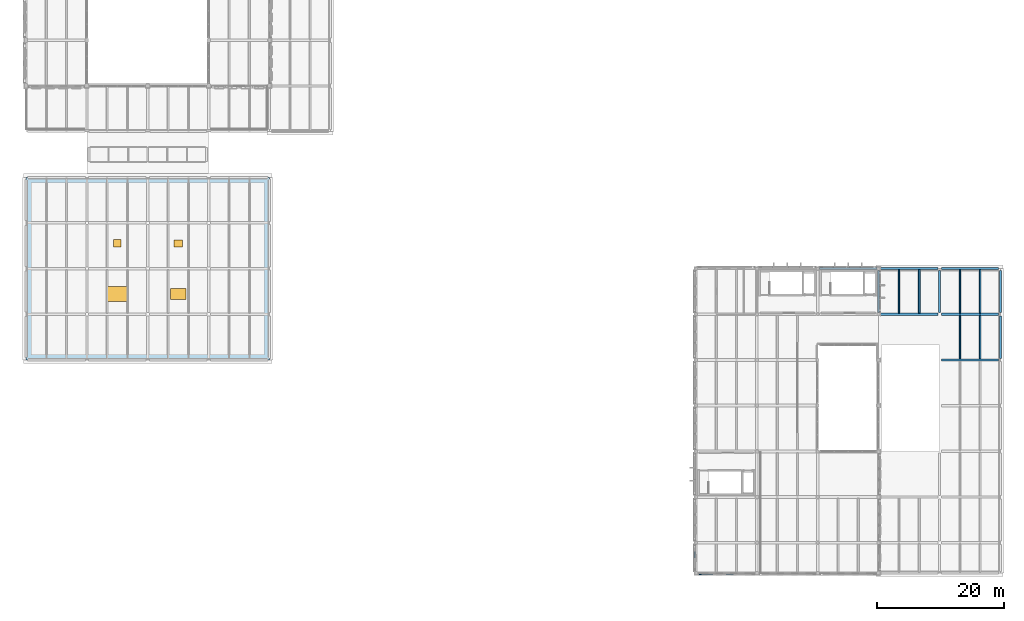
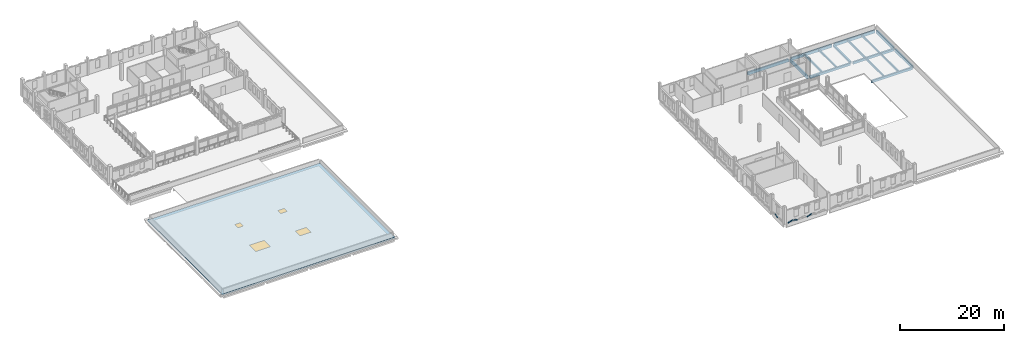
# One storey, part 26 of 50: 16 beams, 4 plates, 2 doors, 2 windows, 1 slab, 4 openings.
"""IFC4 building model written with IfcOpenShell, lengths in metres."""

from ifc_helpers import new_model, si_unit, direction, frame, origin, origin_2d, place, context, subcontext, project, spatial, polyline, rectangle, hollow_rectangle, outline, extrude, material, layer, layer_set, material_profile, profile_set, type_object, element, fill, save


model = new_model("IFC4")

# Units and contexts
model_context = context("Model", 3, precision=1e-05, world=origin(), true_north=direction((0.0, 1.0)))
body_context = subcontext(model_context, "Body", "Model", "MODEL_VIEW")
ifc_project = project(units=[si_unit("LENGTHUNIT", "METRE"), si_unit("AREAUNIT", "SQUARE_METRE"), si_unit("VOLUMEUNIT", "CUBIC_METRE"), si_unit("PLANEANGLEUNIT", "RADIAN"), si_unit("MASSUNIT", "GRAM", prefix="KILO")], contexts=[model_context])

# Site, building, storey
site_placement = place(None, origin())
site = spatial("IfcSite", under=ifc_project, at=site_placement, CompositionType="ELEMENT")
building_placement = place(site_placement, origin())
building = spatial("IfcBuilding", under=site, at=building_placement, Name="Asteropetra Specialist Clinic", CompositionType="ELEMENT")
storey_placement = place(building_placement, frame((0.0, 0.0, 16.659912109375)))
storey = spatial("IfcBuildingStorey", under=building, at=storey_placement, Name="L04", CompositionType="ELEMENT", Elevation=16.659912109375)

# Beams
ifc_material_1 = material(Name="Concrete C35/45", Category="concrete")
ifc_material_profile_1 = material_profile(ifc_material_1, rectangle(XDim=0.320068359375, YDim=0.52001953125, at=origin_2d()), Name="RCB 320x520")
ifc_profile_set_1 = profile_set([ifc_material_profile_1], Name="Concrete C35/45")
beam_type_1 = type_object("IfcBeamType", Name="BM-RC320x520", PredefinedType="BEAM", material=ifc_profile_set_1)
beam_1_placement = place(storey_placement, frame((144.0, 41.074951171875, -0.510009765625), z_axis=(0.0, 1.0, 0.0), x_axis=(-1.0, 0.0, 0.0)))
element("IfcBeam", 1, at=beam_1_placement, inside=storey, type_object=beam_type_1, Name="Beam BBM11-1966", PredefinedType="BEAM", context=body_context, shape_type="SweptSolid", body=[
    extrude(rectangle(XDim=0.320068359375, YDim=0.52001953125, at=origin_2d()), origin(), (0.0, 0.0, 1.0), 6.650146484375),
])
ifc_material_2 = material(Name="Concrete C35/45", Category="concrete")
ifc_material_profile_2 = material_profile(ifc_material_2, rectangle(XDim=0.35009765625, YDim=0.550048828125, at=origin_2d()), Name="RCB 350x550")
ifc_profile_set_2 = profile_set([ifc_material_profile_2], Name="Concrete C35/45")
beam_type_2 = type_object("IfcBeamType", Name="BM-RC350x550", PredefinedType="BEAM", material=ifc_profile_set_2)
for number, where, z_axis, x_axis, name in (
    (2, (144.27490234375, 33.60009765625, -0.52490234375), (1.0, 0.0, 0.0), (0.0, 1.0, 0.0), "Beam BBM10-1936"),
    (3, (134.675048828125, 40.800048828125, -0.52490234375), (1.0, 0.0, 0.0), (0.0, 1.0, 0.0), "Beam BBM10-1937"),
    (4, (144.27490234375, 40.800048828125, -0.52490234375), (1.0, 0.0, 0.0), (0.0, 1.0, 0.0), "Beam BBM10-1938"),
):
    element("IfcBeam", number, at=place(storey_placement, frame(where, z_axis=z_axis, x_axis=x_axis)), inside=storey, type_object=beam_type_2, Name=name, PredefinedType="BEAM", context=body_context, shape_type="SweptSolid", body=[
        extrude(rectangle(XDim=0.35009765625, YDim=0.550048828125, at=origin_2d()), origin(), (0.0, 0.0, 1.0), 9.050048828125),
    ])
ifc_material_3 = material(Name="Concrete C35/45", Category="concrete")
ifc_material_profile_3 = material_profile(ifc_material_3, rectangle(XDim=0.239990234375, YDim=0.449951171875, at=origin_2d()), Name="RCJ 240x450")
ifc_profile_set_3 = profile_set([ifc_material_profile_3], Name="Concrete C35/45")
beam_type_3 = type_object("IfcBeamType", Name="JST-RC240x450", PredefinedType="JOIST", material=ifc_profile_set_3)
for number, where, z_axis, x_axis, name in (
    (5, (147.199951171875, 33.77490234375, -0.474853515625), (0.0, 1.0, 0.0), (-1.0, 0.0, 0.0), "Joist JJST03-1964"),
    (6, (150.39990234375, 33.77490234375, -0.474853515625), (0.0, 1.0, 0.0), (-1.0, 0.0, 0.0), "Joist JJST03-1965"),
):
    element("IfcBeam", number, at=place(storey_placement, frame(where, z_axis=z_axis, x_axis=x_axis)), inside=storey, type_object=beam_type_3, Name=name, PredefinedType="JOIST", context=body_context, shape_type="SweptSolid", body=[
        extrude(rectangle(XDim=0.239990234375, YDim=0.449951171875, at=origin_2d()), origin(), (0.0, 0.0, 1.0), 6.85009765625),
    ])
for number, where, z_axis, x_axis, name in (
    (7, (137.60009765625, 40.97509765625, -0.474853515625), (0.0, 1.0, 0.0), (-1.0, 0.0, 0.0), "Joist JJST03-1968"),
    (8, (140.800048828125, 40.97509765625, -0.474853515625), (0.0, 1.0, 0.0), (-1.0, 0.0, 0.0), "Joist JJST03-1969"),
    (9, (147.199951171875, 40.97509765625, -0.474853515625), (0.0, 1.0, 0.0), (-1.0, 0.0, 0.0), "Joist JJST03-1970"),
    (10, (150.39990234375, 40.97509765625, -0.474853515625), (0.0, 1.0, 0.0), (-1.0, 0.0, 0.0), "Joist JJST03-1971"),
):
    element("IfcBeam", number, at=place(storey_placement, frame(where, z_axis=z_axis, x_axis=x_axis)), inside=storey, type_object=beam_type_3, Name=name, PredefinedType="JOIST", context=body_context, shape_type="SweptSolid", body=[
        extrude(rectangle(XDim=0.239990234375, YDim=0.449951171875, at=origin_2d()), origin(), (0.0, 0.0, 1.0), 6.864990234375),
    ])
ifc_material_4 = material(Name="Concrete C35/45", Category="concrete")
ifc_material_profile_4 = material_profile(ifc_material_4, rectangle(XDim=0.320068359375, YDim=0.699951171875, at=origin_2d()), Name="RCS 320x700")
ifc_profile_set_4 = profile_set([ifc_material_profile_4], Name="Concrete C35/45")
beam_type_4 = type_object("IfcBeamType", Name="SPN-RC320x700", PredefinedType="SPANDREL", material=ifc_profile_set_4)
beam_2_placement = place(storey_placement, frame((125.074951171875, 48.0, -0.64990234375), z_axis=(1.0, 0.0, 0.0), x_axis=(0.0, 1.0, 0.0)))
element("IfcBeam", 11, at=beam_2_placement, inside=storey, type_object=beam_type_4, Name="Beam BSPN02-1724", PredefinedType="SPANDREL", context=body_context, shape_type="SweptSolid", body=[
    extrude(rectangle(XDim=0.320068359375, YDim=0.699951171875, at=origin_2d()), origin(), (0.0, 0.0, 1.0), 9.050048828125),
])
beam_3_placement = place(storey_placement, frame((134.39990234375, 41.074951171875, -0.64990234375), z_axis=(0.0, 1.0, 0.0), x_axis=(-1.0, 0.0, 0.0)))
element("IfcBeam", 12, at=beam_3_placement, inside=storey, type_object=beam_type_4, Name="Beam BSPN02-1772", PredefinedType="SPANDREL", context=body_context, shape_type="SweptSolid", body=[
    extrude(rectangle(XDim=0.320068359375, YDim=0.699951171875, at=origin_2d()), origin(), (0.0, 0.0, 1.0), 6.650146484375),
])
for number, where, z_axis, x_axis, name in (
    (13, (134.675048828125, 48.0, -0.599853515625), (1.0, 0.0, 0.0), (0.0, 1.0, 0.0), "Beam BSPN02-1939"),
    (14, (144.27490234375, 48.0, -0.599853515625), (1.0, 0.0, 0.0), (0.0, 1.0, 0.0), "Beam BSPN02-1940"),
):
    element("IfcBeam", number, at=place(storey_placement, frame(where, z_axis=z_axis, x_axis=x_axis)), inside=storey, type_object=beam_type_4, Name=name, PredefinedType="SPANDREL", context=body_context, shape_type="SweptSolid", body=[
        extrude(rectangle(XDim=0.320068359375, YDim=0.699951171875, at=origin_2d()), origin(), (0.0, 0.0, 1.0), 9.050048828125),
    ])
beam_4_placement = place(storey_placement, frame((153.60009765625, 33.875, -0.599853515625), z_axis=(0.0, 1.0, 0.0), x_axis=(-1.0, 0.0, 0.0)))
element("IfcBeam", 15, at=beam_4_placement, inside=storey, type_object=beam_type_4, Name="Beam BSPN02-1963", PredefinedType="SPANDREL", context=body_context, shape_type="SweptSolid", body=[
    extrude(rectangle(XDim=0.320068359375, YDim=0.699951171875, at=origin_2d()), origin(), (0.0, 0.0, 1.0), 6.64990234375),
])
beam_5_placement = place(storey_placement, frame((153.60009765625, 41.074951171875, -0.599853515625), z_axis=(0.0, 1.0, 0.0), x_axis=(-1.0, 0.0, 0.0)))
element("IfcBeam", 16, at=beam_5_placement, inside=storey, type_object=beam_type_4, Name="Beam BSPN02-1967", PredefinedType="SPANDREL", context=body_context, shape_type="SweptSolid", body=[
    extrude(rectangle(XDim=0.320068359375, YDim=0.699951171875, at=origin_2d()), origin(), (0.0, 0.0, 1.0), 6.650146484375),
])

# Plates
ifc_material_5 = material(Name="Chevron emerald aluminium 6063-T6", Category="aluminium")
ifc_material_profile_5 = material_profile(ifc_material_5, hollow_rectangle(XDim=0.139892578125, YDim=0.139892578125, WallThickness=0.008056640625, InnerFilletRadius=0.008056640625, OuterFilletRadius=0.01611328125, at=origin_2d()), Name="SHS 140x140x8.0")
ifc_profile_set_5 = profile_set([ifc_material_profile_5], Name="Chevron emerald aluminium 6063-T6")
plate_type = type_object("IfcPlateType", Name="CHV-RIB-140", PredefinedType="SHEET", material=ifc_profile_set_5)
for number, where, z_axis, x_axis, name in (
    (17, (106.1650390625, -0.20947265625, 0.080078125), (0.952035512318, 0.0, 0.305987554135), (0.0, 1.0, 0.0), "Chevron Facade Screen Fin CVR-3534"),
    (18, (107.208740234375, -0.20947265625, 0.41552734375), (0.952035512318, 0.0, -0.305987554135), (0.0, 1.0, 0.0), "Chevron Facade Screen Fin CVR-3535"),
):
    element("IfcPlate", number, at=place(storey_placement, frame(where, z_axis=z_axis, x_axis=x_axis)), inside=storey, type_object=plate_type, Name=name, PredefinedType="SHEET", context=body_context, shape_type="SweptSolid", body=[
        extrude(hollow_rectangle(XDim=0.139892578125, YDim=0.139892578125, WallThickness=0.008056640625, InnerFilletRadius=0.008056640625, OuterFilletRadius=0.01611328125, at=origin_2d()), origin(), (0.0, 0.0, 1.0), 1.09619140625),
    ])
plate_1_placement = place(storey_placement, frame((110.419921875, -0.20947265625, 0.080078125), z_axis=(0.952056356577, 0.0, 0.305922692689), x_axis=(0.0, 1.0, 0.0)))
element("IfcPlate", 19, at=plate_1_placement, inside=storey, type_object=plate_type, Name="Chevron Facade Screen Fin CVR-3536", PredefinedType="SHEET", context=body_context, shape_type="SweptSolid", body=[
    extrude(hollow_rectangle(XDim=0.139892578125, YDim=0.139892578125, WallThickness=0.008056640625, InnerFilletRadius=0.008056640625, OuterFilletRadius=0.01611328125, at=origin_2d()), origin(), (0.0, 0.0, 1.0), 1.096435546875),
])
plate_2_placement = place(storey_placement, frame((105.390380859375, 3.327392578125, 0.37255859375), z_axis=(0.0, -0.951785816799, -0.30676335984), x_axis=(1.0, 0.0, 0.0)))
element("IfcPlate", 20, at=plate_2_placement, inside=storey, type_object=plate_type, Name="Chevron Facade Screen Fin CVR-3567", PredefinedType="SHEET", context=body_context, shape_type="SweptSolid", body=[
    extrude(hollow_rectangle(XDim=0.139892578125, YDim=0.139892578125, WallThickness=0.008056640625, InnerFilletRadius=0.008056640625, OuterFilletRadius=0.01611328125, at=origin_2d()), origin(), (0.0, 0.0, 1.0), 0.953369140625),
])

# Slab, openings, doors, windows
ifc_material_6 = material(Name="Concrete C35/45", Category="concrete")
ifc_layer = layer(ifc_material_6, 0.27001953125)
ifc_layer_set = layer_set([ifc_layer], Name="Concrete C35/45")
slab_type = type_object("IfcSlabType", Name="SLB-ROOF-270", PredefinedType="ROOF", material=ifc_layer_set)
slab_placement = place(storey_placement, frame((0.0, 0.0, -0.27001953125)))
slab = element("IfcSlab", 21, at=slab_placement, inside=storey, type_object=slab_type, Name="Slab V5-ROOF L04", PredefinedType="ROOF", context=body_context, shape_type="SweptSolid", body=[
    extrude(outline(polyline([(0.0, 33.60009765625), (38.39990234375, 33.60009765625), (38.39990234375, 62.39990234375), (0.0, 62.39990234375), (0.0, 33.60009765625)])), origin(), (0.0, 0.0, 1.0), 0.27001953125),
])
opening_1_placement = place(slab_placement, frame((14.39990234375, 44.0, 0.0)))
opening_1 = element("IfcOpeningElement", 22, at=opening_1_placement, cuts=slab, Name="Opening SKYL-03", PredefinedType="OPENING", context=body_context, shape_type="SweptSolid", body=[
    extrude(rectangle(XDim=3.199951171875, YDim=2.39990234375, at=origin_2d()), origin(), (0.0, 0.0, 1.0), 0.27001953125),
])
opening_2_placement = place(slab_placement, frame((24.0, 44.0, 0.0)))
opening_2 = element("IfcOpeningElement", 23, at=opening_2_placement, cuts=slab, Name="Opening SKYL-04", PredefinedType="OPENING", context=body_context, shape_type="SweptSolid", body=[
    extrude(rectangle(XDim=2.39990234375, YDim=1.800048828125, at=origin_2d()), origin(), (0.0, 0.0, 1.0), 0.27001953125),
])
opening_3_placement = place(slab_placement, frame((14.39990234375, 52.0, 0.0)))
opening_3 = element("IfcOpeningElement", 24, at=opening_3_placement, cuts=slab, Name="Opening RHAT-03", PredefinedType="OPENING", context=body_context, shape_type="SweptSolid", body=[
    extrude(rectangle(XDim=1.199951171875, YDim=1.199951171875, at=origin_2d()), origin(), (0.0, 0.0, 1.0), 0.27001953125),
])
opening_4_placement = place(slab_placement, frame((24.0, 52.0, 0.0)))
opening_4 = element("IfcOpeningElement", 25, at=opening_4_placement, cuts=slab, Name="Opening RHAT-04", PredefinedType="OPENING", context=body_context, shape_type="SweptSolid", body=[
    extrude(rectangle(XDim=1.39990234375, YDim=1.10009765625, at=origin_2d()), origin(), (0.0, 0.0, 1.0), 0.27001953125),
])
ifc_material_7 = material(Name="Insulated aluminium roof hatch", Category="aluminium")
door_type_1 = type_object("IfcDoorType", Name="HTH-ROOF-1200", OperationType="SINGLE_SWING_LEFT", PredefinedType="TRAPDOOR", material=ifc_material_7)
door_1_placement = place(opening_3_placement, frame((0.0, 0.0, 0.219970703125)))
door_1 = element("IfcDoor", 26, at=door_1_placement, inside=storey, type_object=door_type_1, Name="Roof Opening RHAT-03", OperationType="SINGLE_SWING_LEFT", OverallHeight=1.199951171875, OverallWidth=1.199951171875, PredefinedType="TRAPDOOR", context=body_context, shape_type="SweptSolid", body=[
    extrude(rectangle(XDim=1.199951171875, YDim=1.199951171875, at=origin_2d()), origin(), (0.0, 0.0, 1.0), 0.050048828125),
])
fill(opening_3, door_1)
ifc_material_8 = material(Name="Insulated aluminium roof hatch", Category="aluminium")
door_type_2 = type_object("IfcDoorType", Name="HTH-ROOF-1400", OperationType="SINGLE_SWING_LEFT", PredefinedType="TRAPDOOR", material=ifc_material_8)
door_2_placement = place(opening_4_placement, frame((0.0, 0.0, 0.219970703125)))
door_2 = element("IfcDoor", 27, at=door_2_placement, inside=storey, type_object=door_type_2, Name="Roof Opening RHAT-04", OperationType="SINGLE_SWING_LEFT", OverallHeight=1.10009765625, OverallWidth=1.39990234375, PredefinedType="TRAPDOOR", context=body_context, shape_type="SweptSolid", body=[
    extrude(rectangle(XDim=1.39990234375, YDim=1.10009765625, at=origin_2d()), origin(), (0.0, 0.0, 1.0), 0.050048828125),
])
fill(opening_4, door_2)
ifc_material_9 = material(Name="Laminated low-E skylight glass", Category="glass")
window_type_1 = type_object("IfcWindowType", Name="SKY-T03", PartitioningType="SINGLE_PANEL", PredefinedType="SKYLIGHT", material=ifc_material_9)
window_1_placement = place(opening_1_placement, frame((0.0, 0.0, 0.219970703125)))
window_1 = element("IfcWindow", 28, at=window_1_placement, inside=storey, type_object=window_type_1, Name="Roof Opening SKYL-03", OverallHeight=2.39990234375, OverallWidth=3.199951171875, PartitioningType="SINGLE_PANEL", PredefinedType="SKYLIGHT", context=body_context, shape_type="SweptSolid", body=[
    extrude(rectangle(XDim=3.199951171875, YDim=2.39990234375, at=origin_2d()), origin(), (0.0, 0.0, 1.0), 0.050048828125),
])
fill(opening_1, window_1)
ifc_material_10 = material(Name="Laminated low-E skylight glass", Category="glass")
window_type_2 = type_object("IfcWindowType", Name="SKY-T04", PartitioningType="SINGLE_PANEL", PredefinedType="SKYLIGHT", material=ifc_material_10)
window_2_placement = place(opening_2_placement, frame((0.0, 0.0, 0.219970703125)))
window_2 = element("IfcWindow", 29, at=window_2_placement, inside=storey, type_object=window_type_2, Name="Roof Opening SKYL-04", OverallHeight=1.800048828125, OverallWidth=2.39990234375, PartitioningType="SINGLE_PANEL", PredefinedType="SKYLIGHT", context=body_context, shape_type="SweptSolid", body=[
    extrude(rectangle(XDim=2.39990234375, YDim=1.800048828125, at=origin_2d()), origin(), (0.0, 0.0, 1.0), 0.050048828125),
])
fill(opening_2, window_2)

save(model, "model.ifc")
